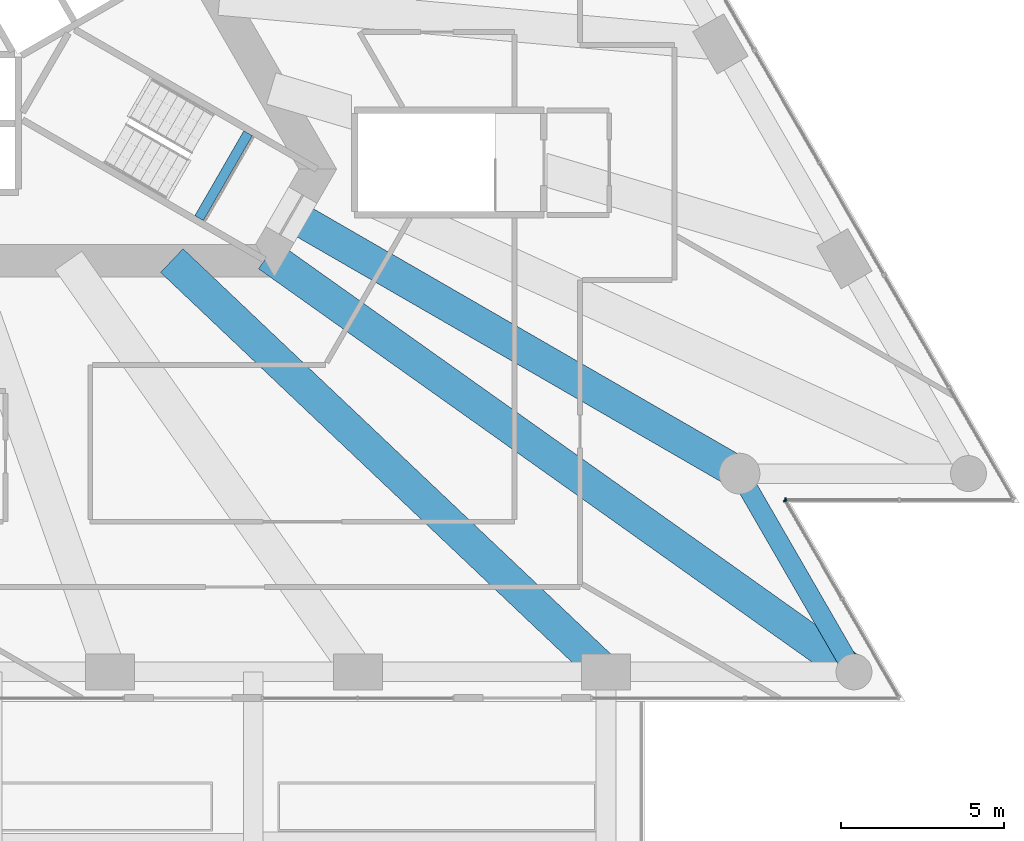
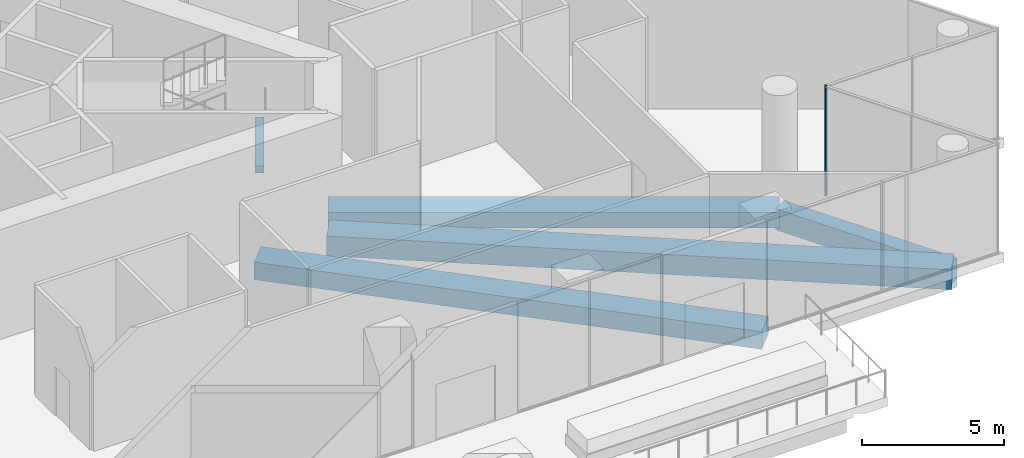
# One storey, part 10 of 28: 5 beams, 2 members, 2 elements without a shape of their own.
"""IFC4 building model written with IfcOpenShell, lengths in metres."""

from ifc_helpers import new_model, si_unit, direction, frame, origin, origin_2d, place, context, subcontext, project, spatial, rectangle, extrude, material, layer, layer_set, material_profile, profile_set, type_object, element, aggregate, save


model = new_model("IFC4")

# Units and contexts
model_context = context("Model", 3, precision=1e-05, world=origin(), true_north=direction((0.0, 1.0)))
body_context = subcontext(model_context, "Body", "Model", "MODEL_VIEW")
ifc_project = project(units=[si_unit("LENGTHUNIT", "METRE"), si_unit("AREAUNIT", "SQUARE_METRE"), si_unit("VOLUMEUNIT", "CUBIC_METRE"), si_unit("PLANEANGLEUNIT", "RADIAN"), si_unit("MASSUNIT", "GRAM", prefix="KILO")], contexts=[model_context])

# Site, building, storey
site_placement = place(None, origin())
site = spatial("IfcSite", under=ifc_project, at=site_placement, CompositionType="ELEMENT")
building_placement = place(site_placement, origin())
building = spatial("IfcBuilding", under=site, at=building_placement, Name="Triada Interchange Tower", CompositionType="ELEMENT")
storey_placement = place(building_placement, frame((0.0, 0.0, 30.300048828125)))
storey = spatial("IfcBuildingStorey", under=building, at=storey_placement, Name="L05", CompositionType="ELEMENT", Elevation=30.300048828125)

# Beam
ifc_material_1 = material(Name="Concrete C35/45", Category="concrete")
ifc_material_profile_1 = material_profile(ifc_material_1, rectangle(XDim=0.300048828125, YDim=0.300048828125, at=origin_2d()), Name="RC 300x300")
ifc_profile_set_1 = profile_set([ifc_material_profile_1], Name="Concrete C35/45")
beam_type_1 = type_object("IfcBeamType", Name="Landing support beam RC 300x300", PredefinedType="BEAM", material=ifc_profile_set_1)
beam_1_placement = place(storey_placement, frame((10.3349609375, -7.698974609375, 2.14990234375), z_axis=(0.50002537861, 0.866010750942, 0.0), x_axis=(-0.866010750942, 0.50002537861, 0.0)))
element("IfcBeam", 1, at=beam_1_placement, inside=storey, type_object=beam_type_1, Name="Landing support beam S05-3 1", PredefinedType="BEAM", context=body_context, shape_type="SweptSolid", body=[
    extrude(rectangle(XDim=0.300048828125, YDim=0.300048828125, at=origin_2d()), origin(), (0.0, 0.0, 1.0), 2.999755859375),
])

# Curtain wall, member
ifc_material_2 = material(Name="Aluminium framed glazing", Category="aluminium")
ifc_layer = layer(ifc_material_2, 0.199951171875)
ifc_layer_set = layer_set([ifc_layer], Name="Curtain wall Winter garden glazing")
curtain_wall_type = type_object("IfcCurtainWallType", Name="Curtain wall Winter garden glazing", PredefinedType="NOTDEFINED", material=ifc_layer_set)
curtain_wall_1_placement = place(storey_placement, origin())
curtain_wall_1 = element("IfcCurtainWall", 2, at=curtain_wall_1_placement, inside=storey, type_object=curtain_wall_type, Name="Winter garden glazing CW010 L05", PredefinedType="NOTDEFINED")
ifc_material_3 = material(Name="Aluminium", Category="aluminium")
ifc_material_profile_2 = material_profile(ifc_material_3, rectangle(XDim=0.1201171875, YDim=0.050048828125, at=origin_2d()), Name="Aluminium mullion")
ifc_profile_set_2 = profile_set([ifc_material_profile_2], Name="Aluminium")
member_type = type_object("IfcMemberType", Name="Mullion Winter garden glazing 120x50", PredefinedType="MULLION", material=ifc_profile_set_2)
member_1_placement = place(storey_placement, frame((28.28857421875, -16.3466796875, 0.0), z_axis=(0.0, 0.0, 1.0), x_axis=(-0.866050272896, -0.499956922962, 0.0)))
member_1 = element("IfcMember", 3, at=member_1_placement, type_object=member_type, Name="CW010 mullion 3", PredefinedType="MULLION", context=body_context, shape_type="SweptSolid", body=[
    extrude(rectangle(XDim=0.1201171875, YDim=0.050048828125, at=origin_2d()), origin(), (0.0, 0.0, 1.0), 4.699951171875),
])
aggregate(curtain_wall_1, [member_1])

curtain_wall_2_placement = place(storey_placement, origin())
curtain_wall_2 = element("IfcCurtainWall", 4, at=curtain_wall_2_placement, inside=storey, type_object=curtain_wall_type, Name="Winter garden glazing CW011 L05", PredefinedType="NOTDEFINED")
member_2_placement = place(storey_placement, frame((28.301025390625, -16.324951171875, 0.0), z_axis=(0.0, 0.0, 1.0), x_axis=(0.0, 1.0, 0.0)))
member_2 = element("IfcMember", 5, at=member_2_placement, type_object=member_type, Name="CW011 mullion 1", PredefinedType="MULLION", context=body_context, shape_type="SweptSolid", body=[
    extrude(rectangle(XDim=0.1201171875, YDim=0.050048828125, at=origin_2d()), origin(), (0.0, 0.0, 1.0), 4.699951171875),
])
aggregate(curtain_wall_2, [member_2])

# Beams
ifc_material_4 = material(Name="Concrete C50/60", Category="concrete")
ifc_material_profile_3 = material_profile(ifc_material_4, rectangle(XDim=1.0, YDim=0.64990234375, at=origin_2d()), Name="RC 1000x650")
ifc_profile_set_3 = profile_set([ifc_material_profile_3], Name="Concrete C50/60")
beam_type_2 = type_object("IfcBeamType", Name="Radial band beam P RC 1000x650", PredefinedType="BEAM", material=ifc_profile_set_3)
beam_2_placement = place(storey_placement, frame((26.889892578125, -15.52490234375, -0.72509765625), z_axis=(-0.866020130944, 0.500009132716, 0.0), x_axis=(-0.500009132716, -0.866020130944, 0.0)))
element("IfcBeam", 6, at=beam_2_placement, inside=storey, type_object=beam_type_2, Name="Radial band beam BP20 L05", PredefinedType="BEAM", context=body_context, shape_type="SweptSolid", body=[
    extrude(rectangle(XDim=1.0, YDim=0.64990234375, at=origin_2d()), origin(), (0.0, 0.0, 1.0), 15.849365234375),
])
ifc_material_profile_4 = material_profile(ifc_material_4, rectangle(XDim=1.0, YDim=0.75, at=origin_2d()), Name="RC 1000x750")
ifc_profile_set_4 = profile_set([ifc_material_profile_4], Name="Concrete C50/60")
beam_type_3 = type_object("IfcBeamType", Name="Radial band beam P RC 1000x750", PredefinedType="BEAM", material=ifc_profile_set_4)
beam_3_placement = place(storey_placement, frame((22.798095703125, -21.60009765625, -0.775146484375), z_axis=(-0.725926069578, 0.687772739723, 0.0), x_axis=(-0.687772739723, -0.725926069578, 0.0)))
element("IfcBeam", 7, at=beam_3_placement, inside=storey, type_object=beam_type_3, Name="Radial band beam BP18 L05", PredefinedType="BEAM", context=body_context, shape_type="SweptSolid", body=[
    extrude(rectangle(XDim=1.0, YDim=0.75, at=origin_2d()), origin(), (0.0, 0.0, 1.0), 18.320068359375),
])
ifc_material_profile_5 = material_profile(ifc_material_4, rectangle(XDim=1.0, YDim=0.85009765625, at=origin_2d()), Name="RC 1000x850")
ifc_profile_set_5 = profile_set([ifc_material_profile_5], Name="Concrete C50/60")
beam_type_4 = type_object("IfcBeamType", Name="Radial band beam P RC 1000x850", PredefinedType="BEAM", material=ifc_profile_set_5)
beam_4_placement = place(storey_placement, frame((30.39697265625, -21.60009765625, -0.824951171875), z_axis=(-0.815163189691, 0.579231364977, 0.0), x_axis=(-0.579231364977, -0.815163189691, 0.0)))
element("IfcBeam", 8, at=beam_4_placement, inside=storey, type_object=beam_type_4, Name="Radial band beam BP19 L05", PredefinedType="BEAM", context=body_context, shape_type="SweptSolid", body=[
    extrude(rectangle(XDim=1.0, YDim=0.85009765625, at=origin_2d()), origin(), (0.0, 0.0, 1.0), 22.0224609375),
])
ifc_material_profile_6 = material_profile(ifc_material_4, rectangle(XDim=0.60009765625, YDim=0.89990234375, at=origin_2d()), Name="RC 600x900")
ifc_profile_set_6 = profile_set([ifc_material_profile_6], Name="Concrete C50/60")
beam_type_5 = type_object("IfcBeamType", Name="Spandrel beam P RC 600x900", PredefinedType="BEAM", material=ifc_profile_set_6)
beam_5_placement = place(storey_placement, frame((30.39697265625, -21.60009765625, -0.85009765625), z_axis=(-0.499953429515, 0.866052289597, 0.0), x_axis=(-0.866052289597, -0.499953429515, 0.0)))
element("IfcBeam", 9, at=beam_5_placement, inside=storey, type_object=beam_type_5, Name="Spandrel beam EP19 L05", PredefinedType="BEAM", context=body_context, shape_type="SweptSolid", body=[
    extrude(rectangle(XDim=0.60009765625, YDim=0.89990234375, at=origin_2d()), origin(), (0.0, 0.0, 1.0), 7.014892578125),
])

save(model, "model.ifc")
